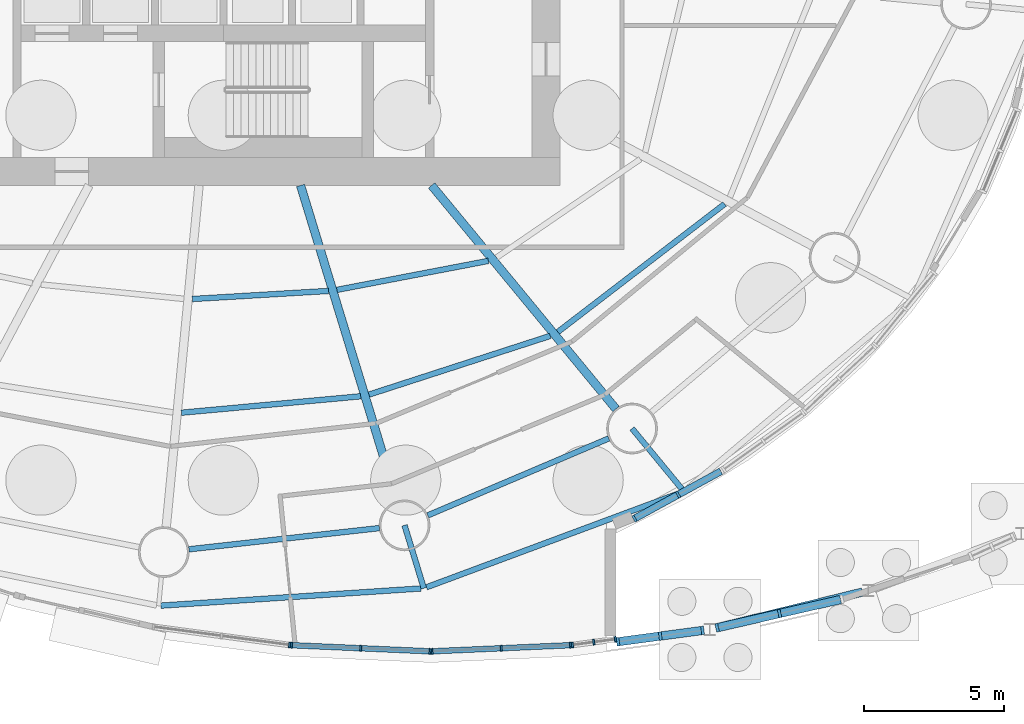
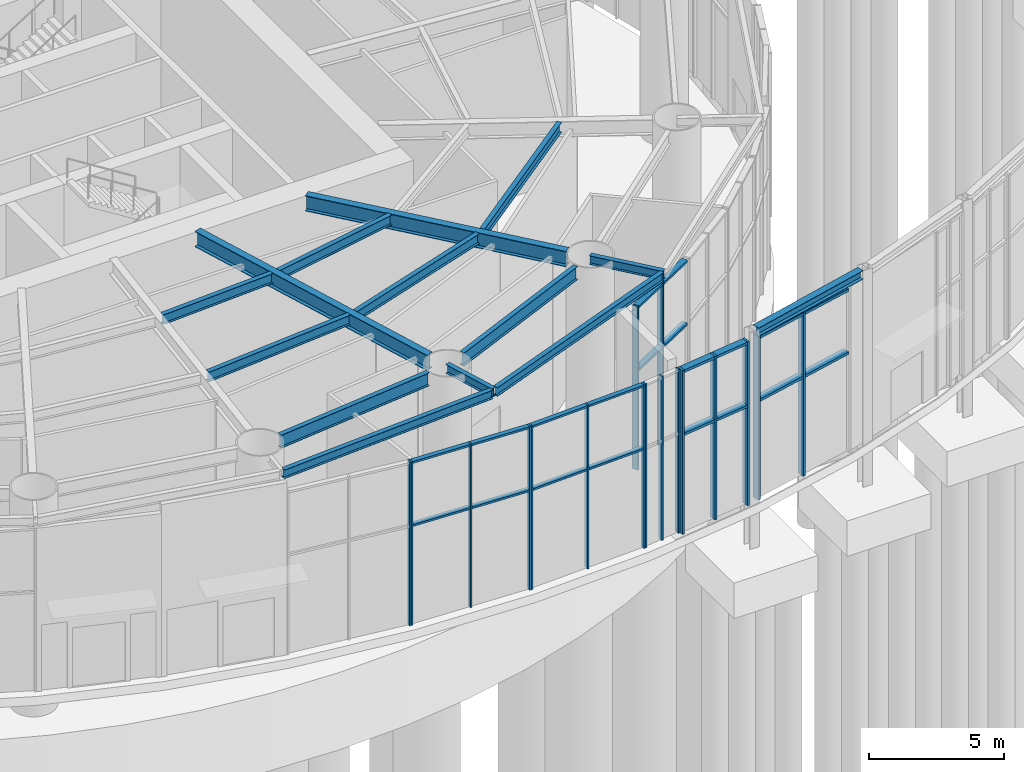
# One storey, part 7 of 27: 37 members, 14 beams, 7 elements without a shape of their own.
"""IFC4 building model written with IfcOpenShell, lengths in metres."""

import ifcopenshell
import ifcopenshell.guid

model = None  # the IFC model being written
_history = None  # IfcOwnerHistory: only IFC2X3 demands one
_inside = {}  # id of a spatial element -> (the spatial element, [elements in it])
_under = {}  # id of a project, library or spatial element -> (it, [spatial elements below it])
_declared = {}  # id of a project -> (the project, [libraries it declares])
_typed = {}  # id of a type object -> (the type object, [elements of that type])
_made_of = {}  # id of a material, layer set ... -> (it, [elements and type objects made of it])


def new_model(schema):
    """Start an empty IFC model of exactly this schema.

    Asked for "IFC4X3", IfcOpenShell would pick the latest addendum, in which some entities
    have other attributes; the version numbers below select the first issue.
    IFC2X3 requires an IfcOwnerHistory on every rooted entity: one is made here for all.
    """
    global model, _history
    if schema == "IFC4X3":
        model = ifcopenshell.file(schema_version=(4, 3, 0, 0))
    else:
        model = ifcopenshell.file(schema=schema)
    _inside.clear()
    _under.clear()
    _declared.clear()
    _typed.clear()
    _made_of.clear()
    _history = None
    if model.schema == "IFC2X3":
        org = make("IfcOrganization", Name="unknown")
        user = make(
            "IfcPersonAndOrganization",
            ThePerson=make("IfcPerson", FamilyName="unknown"),
            TheOrganization=org,
        )
        app = make(
            "IfcApplication",
            ApplicationDeveloper=org,
            Version="unknown",
            ApplicationFullName="unknown",
            ApplicationIdentifier="unknown",
        )
        _history = make(
            "IfcOwnerHistory",
            OwningUser=user,
            OwningApplication=app,
            ChangeAction="ADDED",
            CreationDate=0,
        )
    return model


def make(cls, **values):
    """One entity of the class cls with the attributes given. An attribute that is None is left unset."""
    return model.create_entity(
        cls, **{name: value for name, value in values.items() if value is not None}
    )


def rooted(cls, **values):
    """An entity with a GlobalId (a new one), such as an element, a storey or a relation."""
    return make(cls, GlobalId=ifcopenshell.guid.new(), OwnerHistory=_history, **values)


def si_unit(unit_type, name, prefix=None):
    """IfcSIUnit, for example si_unit("LENGTHUNIT", "METRE", prefix="MILLI")."""
    return make("IfcSIUnit", UnitType=unit_type, Prefix=prefix, Name=name)


def assignment(units):
    """IfcUnitAssignment: the units of a project."""
    return None if units is None else make("IfcUnitAssignment", Units=units)


def point(xyz):
    """IfcCartesianPoint."""
    return None if xyz is None else make("IfcCartesianPoint", Coordinates=xyz)


def direction(xyz):
    """IfcDirection."""
    return None if xyz is None else make("IfcDirection", DirectionRatios=xyz)


def frame(location, z_axis=None, x_axis=None):
    """IfcAxis2Placement3D, a coordinate frame: its origin and axes. An axis left out is left unset."""
    return make(
        "IfcAxis2Placement3D",
        Location=point(location),
        Axis=direction(z_axis),
        RefDirection=direction(x_axis),
    )


def frame_2d(location, x_axis=None):
    """IfcAxis2Placement2D, a coordinate frame in the plane: its origin and x axis."""
    return make(
        "IfcAxis2Placement2D", Location=point(location), RefDirection=direction(x_axis)
    )


def origin():
    """The frame at (0, 0, 0) with its axes left unset."""
    return frame((0.0, 0.0, 0.0))


def origin_2d():
    """The frame at (0, 0) in the plane with its x axis left unset."""
    return frame_2d((0.0, 0.0))


def place(relative_to, where):
    """IfcLocalPlacement: puts the frame where relative to a parent placement (None: the world)."""
    return make(
        "IfcLocalPlacement", PlacementRelTo=relative_to, RelativePlacement=where
    )


def context(
    kind, dimensions, precision=None, world=None, true_north=None, identifier=None
):
    """IfcGeometricRepresentationContext, for example the 3D "Model" context."""
    return make(
        "IfcGeometricRepresentationContext",
        ContextIdentifier=identifier,
        ContextType=kind,
        CoordinateSpaceDimension=dimensions,
        Precision=precision,
        WorldCoordinateSystem=world,
        TrueNorth=true_north,
    )


def subcontext(parent, identifier, kind, view, scale=None):
    """IfcGeometricRepresentationSubContext, for example "Body" below "Model"."""
    return make(
        "IfcGeometricRepresentationSubContext",
        ContextIdentifier=identifier,
        ContextType=kind,
        ParentContext=parent,
        TargetScale=scale,
        TargetView=view,
    )


def project(units=None, contexts=None):
    """IfcProject with its units and contexts."""
    return rooted(
        "IfcProject",
        Name="project",
        RepresentationContexts=contexts,
        UnitsInContext=assignment(units),
    )


def spatial(cls, under=None, at=None, **own):
    """A site, building, storey or space (cls), placed at a placement, below another one or the project."""
    s = rooted(cls, ObjectPlacement=at, **own)
    if under is not None:
        _under.setdefault(under.id(), (under, []))[1].append(s)
    return s


def profile(cls, at=None, kind="AREA", **sizes):
    """A parametric profile (cls). Its sizes go by their IFC names, for example OverallWidth=200.0."""
    return make(cls, ProfileType=kind, Position=at, **sizes)


def rectangle(**sizes):
    """IfcRectangleProfileDef."""
    return profile("IfcRectangleProfileDef", **sizes)


def i_section(**sizes):
    """IfcIShapeProfileDef."""
    return profile("IfcIShapeProfileDef", **sizes)


def extrude(swept, where, along, depth):
    """IfcExtrudedAreaSolid: the profile swept, set in the frame where, extruded along a direction by depth."""
    return make(
        "IfcExtrudedAreaSolid",
        SweptArea=swept,
        Position=where,
        ExtrudedDirection=direction(along),
        Depth=depth,
    )


def shape(context_of_items, identifier, shape_type, items):
    """IfcShapeRepresentation: the items that make up one representation, for example the "Body"."""
    return make(
        "IfcShapeRepresentation",
        ContextOfItems=context_of_items,
        RepresentationIdentifier=identifier,
        RepresentationType=shape_type,
        Items=items,
    )


def material(Name=None, Category=None):
    """IfcMaterial."""
    return make("IfcMaterial", Name=Name, Category=Category)


def material_profile(
    of_material, cross_section, Name=None, Category=None, Priority=None
):
    """IfcMaterialProfile: a cross section and its material."""
    return make(
        "IfcMaterialProfile",
        Name=Name,
        Material=of_material,
        Profile=cross_section,
        Priority=Priority,
        Category=Category,
    )


def profile_set(profiles, Name=None, composite=None):
    """IfcMaterialProfileSet."""
    return make(
        "IfcMaterialProfileSet",
        Name=Name,
        MaterialProfiles=profiles,
        CompositeProfile=composite,
    )


def made_of(thing, what):
    """Note that an element or type object is made of a material, layer set ...; save() writes the relation."""
    if what is not None:
        _made_of.setdefault(what.id(), (what, []))[1].append(thing)
    return thing


def type_object(cls, material=None, **own):
    """A type object (cls), such as IfcWallType, which elements share."""
    return made_of(rooted(cls, **own), material)


def element(
    cls,
    number,
    at=None,
    inside=None,
    cuts=None,
    type_object=None,
    material=None,
    context=None,
    identifier="Body",
    shape_type=None,
    held_by="IfcProductDefinitionShape",
    body=None,
    shapes=None,
    **own,
):
    """One element of the class cls, such as IfcWall. Its Tag is "e" and its number.

    at: its placement. inside: the storey or other place that contains it. cuts: it is an
    opening in that element (IfcRelVoidsElement). A single representation is given by context,
    identifier, shape_type and body (its items); several are given by shapes. held_by: the class
    of the entity that holds the representations. save() writes the other relations.
    """
    e = rooted(cls, Tag="e%d" % number, ObjectPlacement=at, **own)
    if body is not None:
        shapes = [shape(context, identifier, shape_type, body)]
    if shapes is not None:
        e.Representation = make(held_by, Representations=shapes)
    if inside is not None:
        _inside.setdefault(inside.id(), (inside, []))[1].append(e)
    if cuts is not None:
        rooted(
            "IfcRelVoidsElement", RelatingBuildingElement=cuts, RelatedOpeningElement=e
        )
    if type_object is not None:
        _typed.setdefault(type_object.id(), (type_object, []))[1].append(e)
    return made_of(e, material)


def aggregate(whole, parts):
    """IfcRelAggregates: a whole, such as a stair, and the parts it consists of."""
    return rooted("IfcRelAggregates", RelatingObject=whole, RelatedObjects=parts)


def save(model, path):
    """Write the relations noted so far, then the file.

    IfcRelAggregates (storeys below a building ...), IfcRelContainedInSpatialStructure (elements
    in a storey), IfcRelDefinesByType, IfcRelAssociatesMaterial and IfcRelDeclares: one each for
    every whole, place, type object, material and project.
    """
    for whole, parts in _under.values():
        aggregate(whole, parts)
    for where, things in _inside.values():
        rooted(
            "IfcRelContainedInSpatialStructure",
            RelatedElements=things,
            RelatingStructure=where,
        )
    for kind, things in _typed.values():
        rooted("IfcRelDefinesByType", RelatedObjects=things, RelatingType=kind)
    for what, things in _made_of.values():
        rooted("IfcRelAssociatesMaterial", RelatedObjects=things, RelatingMaterial=what)
    for by, libraries in _declared.values():
        rooted("IfcRelDeclares", RelatingContext=by, RelatedDefinitions=libraries)
    model.write(path)


model = new_model("IFC4")

# Units and contexts
model_context = context("Model", 3, precision=1e-05, world=origin(), true_north=direction((0.0, 1.0)))
body_context = subcontext(model_context, "Body", "Model", "MODEL_VIEW")
ifc_project = project(units=[si_unit("LENGTHUNIT", "METRE"), si_unit("AREAUNIT", "SQUARE_METRE"), si_unit("VOLUMEUNIT", "CUBIC_METRE"), si_unit("PLANEANGLEUNIT", "RADIAN"), si_unit("MASSUNIT", "GRAM", prefix="KILO")], contexts=[model_context])

# Site, building, storey
site_placement = place(None, origin())
site = spatial("IfcSite", under=ifc_project, at=site_placement, CompositionType="ELEMENT")
building_placement = place(site_placement, origin())
building = spatial("IfcBuilding", under=site, at=building_placement, Name="Vermilion Reach Broadcast Tower", CompositionType="ELEMENT")
storey_placement = place(building_placement, origin())
storey = spatial("IfcBuildingStorey", under=building, at=storey_placement, Name="L00", CompositionType="ELEMENT", Elevation=0.0)

# Curtain wall, members
ifc_material_1 = material(Name="Low-e laminated clear glass in aluminium frame", Category="aluminium")
curtain_wall_type_1 = type_object("IfcCurtainWallType", Name="Atrium outer wall curtain wall", PredefinedType="NOTDEFINED", material=ifc_material_1)
placement = place(storey_placement, origin())
curtain_wall_1 = element("IfcCurtainWall", 1, at=placement, inside=storey, type_object=curtain_wall_type_1, Name="Atrium wall L00 01", PredefinedType="NOTDEFINED")
ifc_material_2 = material(Name="Anodised aluminium", Category="aluminium")
ifc_material_profile_1 = material_profile(ifc_material_2, rectangle(XDim=0.300048828125, YDim=0.10009765625, at=origin_2d()), Name="Atrium outer wall mullion 100 x 300")
ifc_profile_set_1 = profile_set([ifc_material_profile_1], Name="Anodised aluminium")
member_type_1 = type_object("IfcMemberType", Name="Atrium outer wall mullion 100 x 300", PredefinedType="MULLION", material=ifc_profile_set_1)
member_1_placement = place(storey_placement, frame((8.062744140625, -25.257568359375, 0.0), z_axis=(0.0, 0.0, 1.0), x_axis=(-0.132793713723, 0.991143697753, 0.0)))
member_1 = element("IfcMember", 2, at=member_1_placement, type_object=member_type_1, Name="Atrium wall mullion L00 01.1", PredefinedType="MULLION", context=body_context, shape_type="SweptSolid", body=[
    extrude(rectangle(XDim=0.300048828125, YDim=0.10009765625, at=origin_2d()), origin(), (0.0, 0.0, 1.0), 7.409912109375),
])
member_2_placement = place(storey_placement, frame((9.569091796875, -25.055908203125, 0.0), z_axis=(0.0, 0.0, 1.0), x_axis=(-0.132793713723, 0.991143697753, 0.0)))
member_2 = element("IfcMember", 3, at=member_2_placement, type_object=member_type_1, Name="Atrium wall mullion L00 01.2", PredefinedType="MULLION", context=body_context, shape_type="SweptSolid", body=[
    extrude(rectangle(XDim=0.300048828125, YDim=0.10009765625, at=origin_2d()), origin(), (0.0, 0.0, 1.0), 7.409912109375),
])
member_3_placement = place(storey_placement, frame((11.075439453125, -24.85400390625, 0.0), z_axis=(0.0, 0.0, 1.0), x_axis=(-0.132793713723, 0.991143697753, 0.0)))
member_3 = element("IfcMember", 4, at=member_3_placement, type_object=member_type_1, Name="Atrium wall mullion L00 01.3", PredefinedType="MULLION", context=body_context, shape_type="SweptSolid", body=[
    extrude(rectangle(XDim=0.300048828125, YDim=0.10009765625, at=origin_2d()), origin(), (0.0, 0.0, 1.0), 7.409912109375),
])

curtain_wall_2 = element("IfcCurtainWall", 5, at=placement, inside=storey, type_object=curtain_wall_type_1, Name="Atrium wall L00 02", PredefinedType="NOTDEFINED")
member_4_placement = place(storey_placement, frame((11.594482421875, -24.760009765625, 0.0), z_axis=(0.0, 0.0, 1.0), x_axis=(-0.222891523278, 0.974843253478, 0.0)))
member_4 = element("IfcMember", 6, at=member_4_placement, type_object=member_type_1, Name="Atrium wall mullion L00 02.1", PredefinedType="MULLION", context=body_context, shape_type="SweptSolid", body=[
    extrude(rectangle(XDim=0.300048828125, YDim=0.10009765625, at=origin_2d()), origin(), (0.0, 0.0, 1.0), 7.409912109375),
])
member_5_placement = place(storey_placement, frame((13.818359375, -24.251708984375, 0.0), z_axis=(0.0, 0.0, 1.0), x_axis=(-0.222891523278, 0.974843253478, 0.0)))
member_5 = element("IfcMember", 7, at=member_5_placement, type_object=member_type_1, Name="Atrium wall mullion L00 02.2", PredefinedType="MULLION", context=body_context, shape_type="SweptSolid", body=[
    extrude(rectangle(XDim=0.300048828125, YDim=0.10009765625, at=origin_2d()), origin(), (0.0, 0.0, 1.0), 7.409912109375),
])

# Member
ifc_material_3 = material(Name="Anodised aluminium", Category="aluminium")
ifc_material_profile_2 = material_profile(ifc_material_3, rectangle(XDim=0.300048828125, YDim=0.1201171875, at=origin_2d()), Name="Atrium outer wall transom 300 x 120")
ifc_profile_set_2 = profile_set([ifc_material_profile_2], Name="Anodised aluminium")
member_type_2 = type_object("IfcMemberType", Name="Atrium outer wall transom 300 x 120", PredefinedType="USERDEFINED", material=ifc_profile_set_2)
member_6_placement = place(storey_placement, frame((8.1123046875, -25.2509765625, 4.5), z_axis=(0.991149634463, 0.132749395872, 0.0), x_axis=(-0.132749395872, 0.991149634463, 0.0)))
member_6 = element("IfcMember", 8, at=member_6_placement, type_object=member_type_2, Name="Atrium wall transom L00 01.1.2", ObjectType="TRANSOM", PredefinedType="USERDEFINED", context=body_context, shape_type="SweptSolid", body=[
    extrude(rectangle(XDim=0.300048828125, YDim=0.1201171875, at=origin_2d()), origin(), (0.0, 0.0, 1.0), 1.419677734375),
])

member_7_placement = place(storey_placement, frame((8.1123046875, -25.2509765625, 7.35009765625), z_axis=(0.991149634463, 0.132749395872, 0.0), x_axis=(-0.132749395872, 0.991149634463, 0.0)))
member_7 = element("IfcMember", 9, at=member_7_placement, type_object=member_type_2, Name="Atrium wall transom L00 01.1.3", ObjectType="TRANSOM", PredefinedType="USERDEFINED", context=body_context, shape_type="SweptSolid", body=[
    extrude(rectangle(XDim=0.300048828125, YDim=0.1201171875, at=origin_2d()), origin(), (0.0, 0.0, 1.0), 1.419677734375),
])

member_8_placement = place(storey_placement, frame((9.61865234375, -25.049072265625, 4.5), z_axis=(0.991149634463, 0.132749395872, 0.0), x_axis=(-0.132749395872, 0.991149634463, 0.0)))
member_8 = element("IfcMember", 10, at=member_8_placement, type_object=member_type_2, Name="Atrium wall transom L00 01.2.2", ObjectType="TRANSOM", PredefinedType="USERDEFINED", context=body_context, shape_type="SweptSolid", body=[
    extrude(rectangle(XDim=0.300048828125, YDim=0.1201171875, at=origin_2d()), origin(), (0.0, 0.0, 1.0), 1.419677734375),
])

member_9_placement = place(storey_placement, frame((9.61865234375, -25.049072265625, 7.35009765625), z_axis=(0.991149634463, 0.132749395872, 0.0), x_axis=(-0.132749395872, 0.991149634463, 0.0)))
member_9 = element("IfcMember", 11, at=member_9_placement, type_object=member_type_2, Name="Atrium wall transom L00 01.2.3", ObjectType="TRANSOM", PredefinedType="USERDEFINED", context=body_context, shape_type="SweptSolid", body=[
    extrude(rectangle(XDim=0.300048828125, YDim=0.1201171875, at=origin_2d()), origin(), (0.0, 0.0, 1.0), 1.419677734375),
])

aggregate(curtain_wall_1, [member_1, member_2, member_3, member_6, member_7, member_8, member_9])

member_10_placement = place(storey_placement, frame((11.643310546875, -24.7490234375, 4.5), z_axis=(0.97483071414, 0.222946358504, 0.0), x_axis=(-0.222946358504, 0.97483071414, 0.0)))
member_10 = element("IfcMember", 12, at=member_10_placement, type_object=member_type_2, Name="Atrium wall transom L00 02.1.2", ObjectType="TRANSOM", PredefinedType="USERDEFINED", context=body_context, shape_type="SweptSolid", body=[
    extrude(rectangle(XDim=0.300048828125, YDim=0.1201171875, at=origin_2d()), origin(), (0.0, 0.0, 1.0), 2.181396484375),
])

member_11_placement = place(storey_placement, frame((11.643310546875, -24.7490234375, 7.35009765625), z_axis=(0.97483071414, 0.222946358504, 0.0), x_axis=(-0.222946358504, 0.97483071414, 0.0)))
member_11 = element("IfcMember", 13, at=member_11_placement, type_object=member_type_2, Name="Atrium wall transom L00 02.1.3", ObjectType="TRANSOM", PredefinedType="USERDEFINED", context=body_context, shape_type="SweptSolid", body=[
    extrude(rectangle(XDim=0.300048828125, YDim=0.1201171875, at=origin_2d()), origin(), (0.0, 0.0, 1.0), 2.181396484375),
])

member_12_placement = place(storey_placement, frame((13.8671875, -24.240478515625, 4.5), z_axis=(0.97485503326, 0.222839996696, 0.0), x_axis=(-0.222839996696, 0.97485503326, 0.0)))
member_12 = element("IfcMember", 14, at=member_12_placement, type_object=member_type_2, Name="Atrium wall transom L00 02.2.2", ObjectType="TRANSOM", PredefinedType="USERDEFINED", context=body_context, shape_type="SweptSolid", body=[
    extrude(rectangle(XDim=0.300048828125, YDim=0.1201171875, at=origin_2d()), origin(), (0.0, 0.0, 1.0), 2.181396484375),
])

member_13_placement = place(storey_placement, frame((13.8671875, -24.240478515625, 7.35009765625), z_axis=(0.97485503326, 0.222839996696, 0.0), x_axis=(-0.222839996696, 0.97485503326, 0.0)))
member_13 = element("IfcMember", 15, at=member_13_placement, type_object=member_type_2, Name="Atrium wall transom L00 02.2.3", ObjectType="TRANSOM", PredefinedType="USERDEFINED", context=body_context, shape_type="SweptSolid", body=[
    extrude(rectangle(XDim=0.300048828125, YDim=0.1201171875, at=origin_2d()), origin(), (0.0, 0.0, 1.0), 2.181396484375),
])

aggregate(curtain_wall_2, [member_4, member_5, member_10, member_11, member_12, member_13])

# Curtain wall, members
ifc_material_4 = material(Name="Low-e laminated clear glass in aluminium frame", Category="aluminium")
curtain_wall_type_2 = type_object("IfcCurtainWallType", Name="Drum wall curtain wall", PredefinedType="NOTDEFINED", material=ifc_material_4)
curtain_wall_3 = element("IfcCurtainWall", 16, at=placement, inside=storey, type_object=curtain_wall_type_2, Name="Drum wall L00 04", PredefinedType="NOTDEFINED")
ifc_material_5 = material(Name="Anodised aluminium", Category="aluminium")
ifc_material_profile_3 = material_profile(ifc_material_5, rectangle(XDim=0.25, YDim=0.080078125, at=origin_2d()), Name="Drum wall mullion 80 x 250")
ifc_profile_set_3 = profile_set([ifc_material_profile_3], Name="Anodised aluminium")
member_type_3 = type_object("IfcMemberType", Name="Drum wall mullion 80 x 250", PredefinedType="MULLION", material=ifc_profile_set_3)
member_14_placement = place(storey_placement, frame((10.2060546875, -20.01806640625, 0.0), z_axis=(0.0, 0.0, 1.0), x_axis=(0.480269272265, -0.87712110117, 0.0)))
member_14 = element("IfcMember", 17, at=member_14_placement, type_object=member_type_3, Name="Drum wall mullion L00 04.2", PredefinedType="MULLION", context=body_context, shape_type="SweptSolid", body=[
    extrude(rectangle(XDim=0.25, YDim=0.080078125, at=origin_2d()), origin(), (0.0, 0.0, 1.0), 7.39990234375),
])
member_15_placement = place(storey_placement, frame((8.648681640625, -20.870849609375, 0.0), z_axis=(0.0, 0.0, 1.0), x_axis=(0.480269272265, -0.87712110117, 0.0)))
member_15 = element("IfcMember", 18, at=member_15_placement, type_object=member_type_3, Name="Drum wall mullion L00 04.3", PredefinedType="MULLION", context=body_context, shape_type="SweptSolid", body=[
    extrude(rectangle(XDim=0.25, YDim=0.080078125, at=origin_2d()), origin(), (0.0, 0.0, 1.0), 7.39990234375),
])
ifc_material_6 = material(Name="Anodised aluminium", Category="aluminium")
ifc_material_profile_4 = material_profile(ifc_material_6, rectangle(XDim=0.25, YDim=0.10009765625, at=origin_2d()), Name="Drum wall transom 250 x 100")
ifc_profile_set_4 = profile_set([ifc_material_profile_4], Name="Anodised aluminium")
member_type_4 = type_object("IfcMemberType", Name="Drum wall transom 250 x 100", PredefinedType="USERDEFINED", material=ifc_profile_set_4)
member_16_placement = place(storey_placement, frame((11.72802734375, -19.184814453125, 4.5), z_axis=(-0.877096267842, -0.480314622866, 0.0), x_axis=(0.480314622866, -0.877096267842, 0.0)))
member_16 = element("IfcMember", 19, at=member_16_placement, type_object=member_type_4, Name="Drum wall transom L00 04.1.2", ObjectType="TRANSOM", PredefinedType="USERDEFINED", context=body_context, shape_type="SweptSolid", body=[
    extrude(rectangle(XDim=0.25, YDim=0.10009765625, at=origin_2d()), origin(), (0.0, 0.0, 1.0), 1.695068359375),
])
member_17_placement = place(storey_placement, frame((11.72802734375, -19.184814453125, 7.35009765625), z_axis=(-0.877096267842, -0.480314622866, 0.0), x_axis=(0.480314622866, -0.877096267842, 0.0)))
member_17 = element("IfcMember", 20, at=member_17_placement, type_object=member_type_4, Name="Drum wall transom L00 04.1.3", ObjectType="TRANSOM", PredefinedType="USERDEFINED", context=body_context, shape_type="SweptSolid", body=[
    extrude(rectangle(XDim=0.25, YDim=0.10009765625, at=origin_2d()), origin(), (0.0, 0.0, 1.0), 1.695068359375),
])
member_18_placement = place(storey_placement, frame((10.1708984375, -20.037353515625, 4.5), z_axis=(-0.877129487817, -0.480253955322, 0.0), x_axis=(0.480253955322, -0.877129487817, 0.0)))
member_18 = element("IfcMember", 21, at=member_18_placement, type_object=member_type_4, Name="Drum wall transom L00 04.2.2", ObjectType="TRANSOM", PredefinedType="USERDEFINED", context=body_context, shape_type="SweptSolid", body=[
    extrude(rectangle(XDim=0.25, YDim=0.10009765625, at=origin_2d()), origin(), (0.0, 0.0, 1.0), 1.6953125),
])
member_19_placement = place(storey_placement, frame((10.1708984375, -20.037353515625, 7.35009765625), z_axis=(-0.877129487817, -0.480253955322, 0.0), x_axis=(0.480253955322, -0.877129487817, 0.0)))
member_19 = element("IfcMember", 22, at=member_19_placement, type_object=member_type_4, Name="Drum wall transom L00 04.2.3", ObjectType="TRANSOM", PredefinedType="USERDEFINED", context=body_context, shape_type="SweptSolid", body=[
    extrude(rectangle(XDim=0.25, YDim=0.10009765625, at=origin_2d()), origin(), (0.0, 0.0, 1.0), 1.6953125),
])
aggregate(curtain_wall_3, [member_14, member_15, member_16, member_17, member_18, member_19])

# Beams
ifc_material_7 = material(Name="Steel S355J2", Category="steel")
ifc_material_profile_5 = material_profile(ifc_material_7, i_section(OverallWidth=0.199951171875, OverallDepth=0.39990234375, WebThickness=0.008056640625, FlangeThickness=0.012939453125, at=origin_2d()), Name="S355J2 HN 400x200x8x13")
ifc_profile_set_5 = profile_set([ifc_material_profile_5], Name="Steel S355J2")
beam_type_1 = type_object("IfcBeamType", Name="EB1 HN 400x200x8x13", PredefinedType="BEAM", material=ifc_profile_set_5)
beam_1_placement = place(storey_placement, frame((-8.228515625, -23.97119140625, 7.60009765625), z_axis=(0.997825669163, 0.065908527213, 0.0), x_axis=(-0.065908527213, 0.997825669163, 0.0)))
element("IfcBeam", 23, at=beam_1_placement, inside=storey, type_object=beam_type_1, Name="Edge beam EB1-12", PredefinedType="BEAM", context=body_context, shape_type="SweptSolid", body=[
    extrude(i_section(OverallWidth=0.199951171875, OverallDepth=0.39990234375, WebThickness=0.008056640625, FlangeThickness=0.012939453125, at=origin_2d()), origin(), (0.0, 0.0, 1.0), 9.290283203125),
])
beam_2_placement = place(storey_placement, frame((1.23779296875, -23.3173828125, 7.60009765625), z_axis=(0.9372716621, 0.348599815582, 0.0), x_axis=(-0.348599815582, 0.9372716621, 0.0)))
element("IfcBeam", 24, at=beam_2_placement, inside=storey, type_object=beam_type_1, Name="Edge beam EB1-13", PredefinedType="BEAM", context=body_context, shape_type="SweptSolid", body=[
    extrude(i_section(OverallWidth=0.199951171875, OverallDepth=0.39990234375, WebThickness=0.008056640625, FlangeThickness=0.012939453125, at=origin_2d()), origin(), (0.0, 0.0, 1.0), 9.684326171875),
])
ifc_material_8 = material(Name="Steel S355J2", Category="steel")
ifc_material_profile_6 = material_profile(ifc_material_8, i_section(OverallWidth=0.300048828125, OverallDepth=0.699951171875, WebThickness=0.012939453125, FlangeThickness=0.02392578125, at=origin_2d()), Name="S355J2 HN 700x300x13x24")
ifc_profile_set_6 = profile_set([ifc_material_profile_6], Name="Steel S355J2")
beam_type_2 = type_object("IfcBeamType", Name="G1 HN 700x300x13x24", PredefinedType="BEAM", material=ifc_profile_set_6)
beam_3_placement = place(storey_placement, frame((-3.246826171875, -9.0, 7.449951171875), z_axis=(0.292542302886, -0.95625258223, 0.0), x_axis=(0.95625258223, 0.292542302886, 0.0)))
element("IfcBeam", 25, at=beam_3_placement, inside=storey, type_object=beam_type_2, Name="Girder G1-13", PredefinedType="BEAM", context=body_context, shape_type="SweptSolid", body=[
    extrude(i_section(OverallWidth=0.300048828125, OverallDepth=0.699951171875, WebThickness=0.012939453125, FlangeThickness=0.02392578125, at=origin_2d()), origin(), (0.0, 0.0, 1.0), 11.76220703125),
])
beam_4_placement = place(storey_placement, frame((1.421630859375, -9.0, 7.449951171875), z_axis=(0.636215165107, -0.77151167437, 0.0), x_axis=(0.77151167437, 0.636215165107, 0.0)))
element("IfcBeam", 26, at=beam_4_placement, inside=storey, type_object=beam_type_2, Name="Girder G1-14", PredefinedType="BEAM", context=body_context, shape_type="SweptSolid", body=[
    extrude(i_section(OverallWidth=0.300048828125, OverallDepth=0.699951171875, WebThickness=0.012939453125, FlangeThickness=0.02392578125, at=origin_2d()), origin(), (0.0, 0.0, 1.0), 10.3251953125),
])
ifc_material_9 = material(Name="Steel S355J2", Category="steel")
ifc_material_profile_7 = material_profile(ifc_material_9, i_section(OverallWidth=0.199951171875, OverallDepth=0.39990234375, WebThickness=0.008056640625, FlangeThickness=0.012939453125, at=origin_2d()), Name="S355J2 HN 400x200x8x13")
ifc_profile_set_7 = profile_set([ifc_material_profile_7], Name="Steel S355J2")
beam_type_3 = type_object("IfcBeamType", Name="GC1 HN 400x200x8x13", PredefinedType="BEAM", material=ifc_profile_set_7)
beam_5_placement = place(storey_placement, frame((0.45751953125, -21.108154296875, 7.60009765625), z_axis=(0.292535678809, -0.956254608681, 0.0), x_axis=(0.956254608681, 0.292535678809, 0.0)))
element("IfcBeam", 27, at=beam_5_placement, inside=storey, type_object=beam_type_3, Name="Cantilever girder GC1-13", PredefinedType="BEAM", context=body_context, shape_type="SweptSolid", body=[
    extrude(i_section(OverallWidth=0.199951171875, OverallDepth=0.39990234375, WebThickness=0.008056640625, FlangeThickness=0.012939453125, at=origin_2d()), origin(), (0.0, 0.0, 1.0), 2.346923828125),
])
beam_6_placement = place(storey_placement, frame((8.563232421875, -17.660400390625, 7.60009765625), z_axis=(0.636213137876, -0.771513346089, 0.0), x_axis=(0.771513346089, 0.636213137876, 0.0)))
element("IfcBeam", 28, at=beam_6_placement, inside=storey, type_object=beam_type_3, Name="Cantilever girder GC1-14", PredefinedType="BEAM", context=body_context, shape_type="SweptSolid", body=[
    extrude(i_section(OverallWidth=0.199951171875, OverallDepth=0.39990234375, WebThickness=0.008056640625, FlangeThickness=0.012939453125, at=origin_2d()), origin(), (0.0, 0.0, 1.0), 2.90869140625),
])
ifc_material_10 = material(Name="Steel S355J2", Category="steel")
ifc_material_profile_8 = material_profile(ifc_material_10, i_section(OverallWidth=0.199951171875, OverallDepth=0.60009765625, WebThickness=0.010986328125, FlangeThickness=0.01708984375, at=origin_2d()), Name="S355J2 HN 600x200x11x17")
ifc_profile_set_8 = profile_set([ifc_material_profile_8], Name="Steel S355J2")
beam_type_4 = type_object("IfcBeamType", Name="RB1 HN 600x200x11x17", PredefinedType="BEAM", material=ifc_profile_set_8)
beam_7_placement = place(storey_placement, frame((-7.22607421875, -21.964111328125, 7.5), z_axis=(0.993851439324, 0.110721798009, 0.0), x_axis=(-0.110721798009, 0.993851439324, 0.0)))
element("IfcBeam", 29, at=beam_7_placement, inside=storey, type_object=beam_type_4, Name="Ring beam RB1-12", PredefinedType="BEAM", context=body_context, shape_type="SweptSolid", body=[
    extrude(i_section(OverallWidth=0.199951171875, OverallDepth=0.60009765625, WebThickness=0.010986328125, FlangeThickness=0.01708984375, at=origin_2d()), origin(), (0.0, 0.0, 1.0), 6.8310546875),
])
beam_8_placement = place(storey_placement, frame((1.28564453125, -20.755859375, 7.5), z_axis=(0.920220846584, 0.391399531825, 0.0), x_axis=(-0.391399531825, 0.920220846584, 0.0)))
element("IfcBeam", 30, at=beam_8_placement, inside=storey, type_object=beam_type_4, Name="Ring beam RB1-13", PredefinedType="BEAM", context=body_context, shape_type="SweptSolid", body=[
    extrude(i_section(OverallWidth=0.199951171875, OverallDepth=0.60009765625, WebThickness=0.010986328125, FlangeThickness=0.01708984375, at=origin_2d()), origin(), (0.0, 0.0, 1.0), 7.008544921875),
])
ifc_material_11 = material(Name="Steel S355J2", Category="steel")
ifc_material_profile_9 = material_profile(ifc_material_11, i_section(OverallWidth=0.300048828125, OverallDepth=0.389892578125, WebThickness=0.010009765625, FlangeThickness=0.01611328125, at=origin_2d()), Name="S355J2 HM 390x300x10x16")
ifc_profile_set_9 = profile_set([ifc_material_profile_9], Name="Steel S355J2")
beam_type_5 = type_object("IfcBeamType", Name="RM1 HM 390x300x10x16", PredefinedType="BEAM", material=ifc_profile_set_9)
beam_9_placement = place(storey_placement, frame((11.55078125, -24.7666015625, 7.60498046875), z_axis=(0.97127010403, 0.237979799598, 0.0), x_axis=(-0.237979799598, 0.97127010403, 0.0)))
element("IfcBeam", 31, at=beam_9_placement, inside=storey, type_object=beam_type_5, Name="Rim beam AP01-AP02", PredefinedType="BEAM", context=body_context, shape_type="SweptSolid", body=[
    extrude(i_section(OverallWidth=0.300048828125, OverallDepth=0.389892578125, WebThickness=0.010009765625, FlangeThickness=0.01611328125, at=origin_2d()), origin(), (0.0, 0.0, 1.0), 5.37451171875),
])
ifc_material_12 = material(Name="Steel S355J2", Category="steel")
ifc_material_profile_10 = material_profile(ifc_material_12, i_section(OverallWidth=0.199951171875, OverallDepth=0.449951171875, WebThickness=0.009033203125, FlangeThickness=0.013916015625, at=origin_2d()), Name="S355J2 HN 450x200x9x14")
ifc_profile_set_10 = profile_set([ifc_material_profile_10], Name="Steel S355J2")
beam_type_6 = type_object("IfcBeamType", Name="SB1 HN 450x200x9x14", PredefinedType="BEAM", material=ifc_profile_set_10)
beam_10_placement = place(storey_placement, frame((-7.103271484375, -13.046875, 7.574951171875), z_axis=(0.99823410974, 0.059402543307, 0.0), x_axis=(-0.059402543307, 0.99823410974, 0.0)))
element("IfcBeam", 32, at=beam_10_placement, inside=storey, type_object=beam_type_6, Name="Secondary beam SB1-12-1", PredefinedType="BEAM", context=body_context, shape_type="SweptSolid", body=[
    extrude(i_section(OverallWidth=0.199951171875, OverallDepth=0.449951171875, WebThickness=0.009033203125, FlangeThickness=0.013916015625, at=origin_2d()), origin(), (0.0, 0.0, 1.0), 4.85791015625),
])
beam_11_placement = place(storey_placement, frame((-7.49267578125, -17.09814453125, 7.574951171875), z_axis=(0.995818616382, 0.091352521952, 0.0), x_axis=(-0.091352521952, 0.995818616382, 0.0)))
element("IfcBeam", 33, at=beam_11_placement, inside=storey, type_object=beam_type_6, Name="Secondary beam SB1-12-2", PredefinedType="BEAM", context=body_context, shape_type="SweptSolid", body=[
    extrude(i_section(OverallWidth=0.199951171875, OverallDepth=0.449951171875, WebThickness=0.009033203125, FlangeThickness=0.013916015625, at=origin_2d()), origin(), (0.0, 0.0, 1.0), 6.4140625),
])
beam_12_placement = place(storey_placement, frame((-1.95166015625, -12.720703125, 7.574951171875), z_axis=(0.982151348822, 0.188092339045, 0.0), x_axis=(-0.188092339045, 0.982151348822, 0.0)))
element("IfcBeam", 34, at=beam_12_placement, inside=storey, type_object=beam_type_6, Name="Secondary beam SB1-13-1", PredefinedType="BEAM", context=body_context, shape_type="SweptSolid", body=[
    extrude(i_section(OverallWidth=0.199951171875, OverallDepth=0.449951171875, WebThickness=0.009033203125, FlangeThickness=0.013916015625, at=origin_2d()), origin(), (0.0, 0.0, 1.0), 5.4931640625),
])
beam_13_placement = place(storey_placement, frame((-0.81005859375, -16.4521484375, 7.574951171875), z_axis=(0.951332300844, 0.308166924523, 0.0), x_axis=(-0.308166924523, 0.951332300844, 0.0)))
element("IfcBeam", 35, at=beam_13_placement, inside=storey, type_object=beam_type_6, Name="Secondary beam SB1-13-2", PredefinedType="BEAM", context=body_context, shape_type="SweptSolid", body=[
    extrude(i_section(OverallWidth=0.199951171875, OverallDepth=0.449951171875, WebThickness=0.009033203125, FlangeThickness=0.013916015625, at=origin_2d()), origin(), (0.0, 0.0, 1.0), 6.787841796875),
])
beam_14_placement = place(storey_placement, frame((5.920166015625, -14.21923828125, 7.574951171875), z_axis=(0.793349617473, 0.60876628065, 0.0), x_axis=(-0.60876628065, 0.793349617473, 0.0)))
element("IfcBeam", 36, at=beam_14_placement, inside=storey, type_object=beam_type_6, Name="Secondary beam SB1-14-2", PredefinedType="BEAM", context=body_context, shape_type="SweptSolid", body=[
    extrude(i_section(OverallWidth=0.199951171875, OverallDepth=0.449951171875, WebThickness=0.009033203125, FlangeThickness=0.013916015625, at=origin_2d()), origin(), (0.0, 0.0, 1.0), 7.486328125),
])

# Curtain wall, member
ifc_material_13 = material(Name="Low-e laminated clear glass in aluminium frame", Category="aluminium")
curtain_wall_type_3 = type_object("IfcCurtainWallType", Name="Street frontage curtain wall", PredefinedType="NOTDEFINED", material=ifc_material_13)
curtain_wall_4 = element("IfcCurtainWall", 37, at=placement, inside=storey, type_object=curtain_wall_type_3, Name="Street frontage L00 01", PredefinedType="NOTDEFINED")
ifc_material_14 = material(Name="Anodised aluminium", Category="aluminium")
ifc_material_profile_11 = material_profile(ifc_material_14, rectangle(XDim=0.199951171875, YDim=0.070068359375, at=origin_2d()), Name="Street frontage mullion 70 x 200")
ifc_profile_set_11 = profile_set([ifc_material_profile_11], Name="Anodised aluminium")
member_type_5 = type_object("IfcMemberType", Name="Street frontage mullion 70 x 200", PredefinedType="MULLION", material=ifc_profile_set_11)
member_20_placement = place(storey_placement, frame((-3.6376953125, -25.37451171875, 0.0), z_axis=(0.0, 0.0, 1.0), x_axis=(0.13279364906, 0.991143706417, 0.0)))
member_20 = element("IfcMember", 38, at=member_20_placement, type_object=member_type_5, Name="Street frontage mullion L00 01.3", PredefinedType="MULLION", context=body_context, shape_type="SweptSolid", body=[
    extrude(rectangle(XDim=0.199951171875, YDim=0.070068359375, at=origin_2d()), origin(), (0.0, 0.0, 1.0), 7.39990234375),
])
aggregate(curtain_wall_4, [member_20])

# Curtain wall, members
curtain_wall_5 = element("IfcCurtainWall", 39, at=placement, inside=storey, type_object=curtain_wall_type_3, Name="Street frontage L00 02", PredefinedType="NOTDEFINED")
member_21_placement = place(storey_placement, frame((-3.568115234375, -25.380615234375, 0.0), z_axis=(0.0, 0.0, 1.0), x_axis=(0.044104737232, 0.999026912627, 0.0)))
member_21 = element("IfcMember", 40, at=member_21_placement, type_object=member_type_5, Name="Street frontage mullion L00 02.1", PredefinedType="MULLION", context=body_context, shape_type="SweptSolid", body=[
    extrude(rectangle(XDim=0.199951171875, YDim=0.070068359375, at=origin_2d()), origin(), (0.0, 0.0, 1.0), 7.39990234375),
])
member_22_placement = place(storey_placement, frame((-1.1015625, -25.489501953125, 0.0), z_axis=(0.0, 0.0, 1.0), x_axis=(0.044104737232, 0.999026912627, 0.0)))
member_22 = element("IfcMember", 41, at=member_22_placement, type_object=member_type_5, Name="Street frontage mullion L00 02.2", PredefinedType="MULLION", context=body_context, shape_type="SweptSolid", body=[
    extrude(rectangle(XDim=0.199951171875, YDim=0.070068359375, at=origin_2d()), origin(), (0.0, 0.0, 1.0), 7.39990234375),
])
member_23_placement = place(storey_placement, frame((1.364990234375, -25.598388671875, 0.0), z_axis=(0.0, 0.0, 1.0), x_axis=(0.044104737232, 0.999026912627, 0.0)))
member_23 = element("IfcMember", 42, at=member_23_placement, type_object=member_type_5, Name="Street frontage mullion L00 02.3", PredefinedType="MULLION", context=body_context, shape_type="SweptSolid", body=[
    extrude(rectangle(XDim=0.199951171875, YDim=0.070068359375, at=origin_2d()), origin(), (0.0, 0.0, 1.0), 7.39990234375),
])

curtain_wall_6 = element("IfcCurtainWall", 43, at=placement, inside=storey, type_object=curtain_wall_type_3, Name="Street frontage L00 03", PredefinedType="NOTDEFINED")
member_24_placement = place(storey_placement, frame((1.43505859375, -25.598388671875, 0.0), z_axis=(0.0, 0.0, 1.0), x_axis=(-0.044104737232, 0.999026912627, 0.0)))
member_24 = element("IfcMember", 44, at=member_24_placement, type_object=member_type_5, Name="Street frontage mullion L00 03.1", PredefinedType="MULLION", context=body_context, shape_type="SweptSolid", body=[
    extrude(rectangle(XDim=0.199951171875, YDim=0.070068359375, at=origin_2d()), origin(), (0.0, 0.0, 1.0), 7.39990234375),
])
member_25_placement = place(storey_placement, frame((3.901611328125, -25.489501953125, 0.0), z_axis=(0.0, 0.0, 1.0), x_axis=(-0.044104737232, 0.999026912627, 0.0)))
member_25 = element("IfcMember", 45, at=member_25_placement, type_object=member_type_5, Name="Street frontage mullion L00 03.2", PredefinedType="MULLION", context=body_context, shape_type="SweptSolid", body=[
    extrude(rectangle(XDim=0.199951171875, YDim=0.070068359375, at=origin_2d()), origin(), (0.0, 0.0, 1.0), 7.39990234375),
])
member_26_placement = place(storey_placement, frame((6.367919921875, -25.380615234375, 0.0), z_axis=(0.0, 0.0, 1.0), x_axis=(-0.044104737232, 0.999026912627, 0.0)))
member_26 = element("IfcMember", 46, at=member_26_placement, type_object=member_type_5, Name="Street frontage mullion L00 03.3", PredefinedType="MULLION", context=body_context, shape_type="SweptSolid", body=[
    extrude(rectangle(XDim=0.199951171875, YDim=0.070068359375, at=origin_2d()), origin(), (0.0, 0.0, 1.0), 7.39990234375),
])

curtain_wall_7 = element("IfcCurtainWall", 47, at=placement, inside=storey, type_object=curtain_wall_type_3, Name="Street frontage L00 04", PredefinedType="NOTDEFINED")
member_27_placement = place(storey_placement, frame((6.437744140625, -25.37451171875, 0.0), z_axis=(0.0, 0.0, 1.0), x_axis=(-0.132793514649, 0.991143724425, 0.0)))
member_27 = element("IfcMember", 48, at=member_27_placement, type_object=member_type_5, Name="Street frontage mullion L00 04.1", PredefinedType="MULLION", context=body_context, shape_type="SweptSolid", body=[
    extrude(rectangle(XDim=0.199951171875, YDim=0.070068359375, at=origin_2d()), origin(), (0.0, 0.0, 1.0), 7.39990234375),
])
member_28_placement = place(storey_placement, frame((7.201416015625, -25.272216796875, 0.0), z_axis=(0.0, 0.0, 1.0), x_axis=(-0.132793514649, 0.991143724425, 0.0)))
member_28 = element("IfcMember", 49, at=member_28_placement, type_object=member_type_5, Name="Street frontage mullion L00 04.2", PredefinedType="MULLION", context=body_context, shape_type="SweptSolid", body=[
    extrude(rectangle(XDim=0.199951171875, YDim=0.070068359375, at=origin_2d()), origin(), (0.0, 0.0, 1.0), 7.39990234375),
])
member_29_placement = place(storey_placement, frame((7.96533203125, -25.169921875, 0.0), z_axis=(0.0, 0.0, 1.0), x_axis=(-0.132793514649, 0.991143724425, 0.0)))
member_29 = element("IfcMember", 50, at=member_29_placement, type_object=member_type_5, Name="Street frontage mullion L00 04.3", PredefinedType="MULLION", context=body_context, shape_type="SweptSolid", body=[
    extrude(rectangle(XDim=0.199951171875, YDim=0.070068359375, at=origin_2d()), origin(), (0.0, 0.0, 1.0), 7.39990234375),
])
aggregate(curtain_wall_7, [member_27, member_28, member_29])

# Member
ifc_material_15 = material(Name="Anodised aluminium", Category="aluminium")
ifc_material_profile_12 = material_profile(ifc_material_15, rectangle(XDim=0.199951171875, YDim=0.090087890625, at=origin_2d()), Name="Street frontage transom 200 x 90")
ifc_profile_set_12 = profile_set([ifc_material_profile_12], Name="Anodised aluminium")
member_type_6 = type_object("IfcMemberType", Name="Street frontage transom 200 x 90", PredefinedType="USERDEFINED", material=ifc_profile_set_12)
member_30_placement = place(storey_placement, frame((-3.532958984375, -25.38232421875, 4.5), z_axis=(0.99902849853, -0.044068799905, 0.0), x_axis=(0.044068799905, 0.99902849853, 0.0)))
member_30 = element("IfcMember", 51, at=member_30_placement, type_object=member_type_6, Name="Street frontage transom L00 02.1.2", ObjectType="TRANSOM", PredefinedType="USERDEFINED", context=body_context, shape_type="SweptSolid", body=[
    extrude(rectangle(XDim=0.199951171875, YDim=0.090087890625, at=origin_2d()), origin(), (0.0, 0.0, 1.0), 2.39892578125),
])

member_31_placement = place(storey_placement, frame((-3.532958984375, -25.38232421875, 7.35498046875), z_axis=(0.99902849853, -0.044068799905, 0.0), x_axis=(0.044068799905, 0.99902849853, 0.0)))
member_31 = element("IfcMember", 52, at=member_31_placement, type_object=member_type_6, Name="Street frontage transom L00 02.1.3", ObjectType="TRANSOM", PredefinedType="USERDEFINED", context=body_context, shape_type="SweptSolid", body=[
    extrude(rectangle(XDim=0.199951171875, YDim=0.090087890625, at=origin_2d()), origin(), (0.0, 0.0, 1.0), 2.39892578125),
])

member_32_placement = place(storey_placement, frame((-1.06640625, -25.4912109375, 4.5), z_axis=(0.99902849853, -0.044068799905, 0.0), x_axis=(0.044068799905, 0.99902849853, 0.0)))
member_32 = element("IfcMember", 53, at=member_32_placement, type_object=member_type_6, Name="Street frontage transom L00 02.2.2", ObjectType="TRANSOM", PredefinedType="USERDEFINED", context=body_context, shape_type="SweptSolid", body=[
    extrude(rectangle(XDim=0.199951171875, YDim=0.090087890625, at=origin_2d()), origin(), (0.0, 0.0, 1.0), 2.39892578125),
])

member_33_placement = place(storey_placement, frame((-1.06640625, -25.4912109375, 7.35498046875), z_axis=(0.99902849853, -0.044068799905, 0.0), x_axis=(0.044068799905, 0.99902849853, 0.0)))
member_33 = element("IfcMember", 54, at=member_33_placement, type_object=member_type_6, Name="Street frontage transom L00 02.2.3", ObjectType="TRANSOM", PredefinedType="USERDEFINED", context=body_context, shape_type="SweptSolid", body=[
    extrude(rectangle(XDim=0.199951171875, YDim=0.090087890625, at=origin_2d()), origin(), (0.0, 0.0, 1.0), 2.39892578125),
])

aggregate(curtain_wall_5, [member_21, member_22, member_23, member_30, member_31, member_32, member_33])

member_34_placement = place(storey_placement, frame((1.469970703125, -25.596923828125, 4.5), z_axis=(0.99902849853, 0.044068799905, 0.0), x_axis=(-0.044068799905, 0.99902849853, 0.0)))
member_34 = element("IfcMember", 55, at=member_34_placement, type_object=member_type_6, Name="Street frontage transom L00 03.1.2", ObjectType="TRANSOM", PredefinedType="USERDEFINED", context=body_context, shape_type="SweptSolid", body=[
    extrude(rectangle(XDim=0.199951171875, YDim=0.090087890625, at=origin_2d()), origin(), (0.0, 0.0, 1.0), 2.39892578125),
])

member_35_placement = place(storey_placement, frame((1.469970703125, -25.596923828125, 7.35498046875), z_axis=(0.99902849853, 0.044068799905, 0.0), x_axis=(-0.044068799905, 0.99902849853, 0.0)))
member_35 = element("IfcMember", 56, at=member_35_placement, type_object=member_type_6, Name="Street frontage transom L00 03.1.3", ObjectType="TRANSOM", PredefinedType="USERDEFINED", context=body_context, shape_type="SweptSolid", body=[
    extrude(rectangle(XDim=0.199951171875, YDim=0.090087890625, at=origin_2d()), origin(), (0.0, 0.0, 1.0), 2.39892578125),
])

member_36_placement = place(storey_placement, frame((3.9365234375, -25.488037109375, 4.5), z_axis=(0.99902849853, 0.044068799905, 0.0), x_axis=(-0.044068799905, 0.99902849853, 0.0)))
member_36 = element("IfcMember", 57, at=member_36_placement, type_object=member_type_6, Name="Street frontage transom L00 03.2.2", ObjectType="TRANSOM", PredefinedType="USERDEFINED", context=body_context, shape_type="SweptSolid", body=[
    extrude(rectangle(XDim=0.199951171875, YDim=0.090087890625, at=origin_2d()), origin(), (0.0, 0.0, 1.0), 2.39892578125),
])

member_37_placement = place(storey_placement, frame((3.9365234375, -25.488037109375, 7.35498046875), z_axis=(0.99902849853, 0.044068799905, 0.0), x_axis=(-0.044068799905, 0.99902849853, 0.0)))
member_37 = element("IfcMember", 58, at=member_37_placement, type_object=member_type_6, Name="Street frontage transom L00 03.2.3", ObjectType="TRANSOM", PredefinedType="USERDEFINED", context=body_context, shape_type="SweptSolid", body=[
    extrude(rectangle(XDim=0.199951171875, YDim=0.090087890625, at=origin_2d()), origin(), (0.0, 0.0, 1.0), 2.39892578125),
])

aggregate(curtain_wall_6, [member_24, member_25, member_26, member_34, member_35, member_36, member_37])

save(model, "model.ifc")
